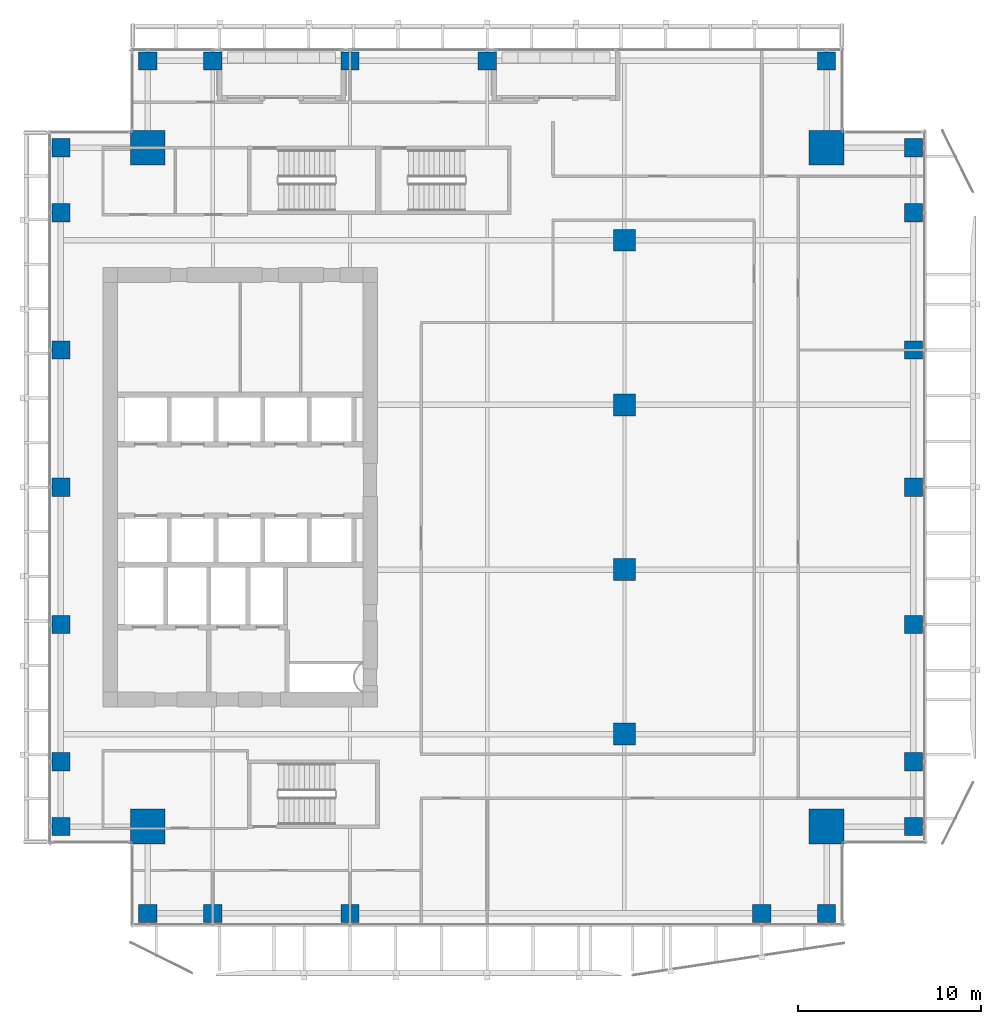
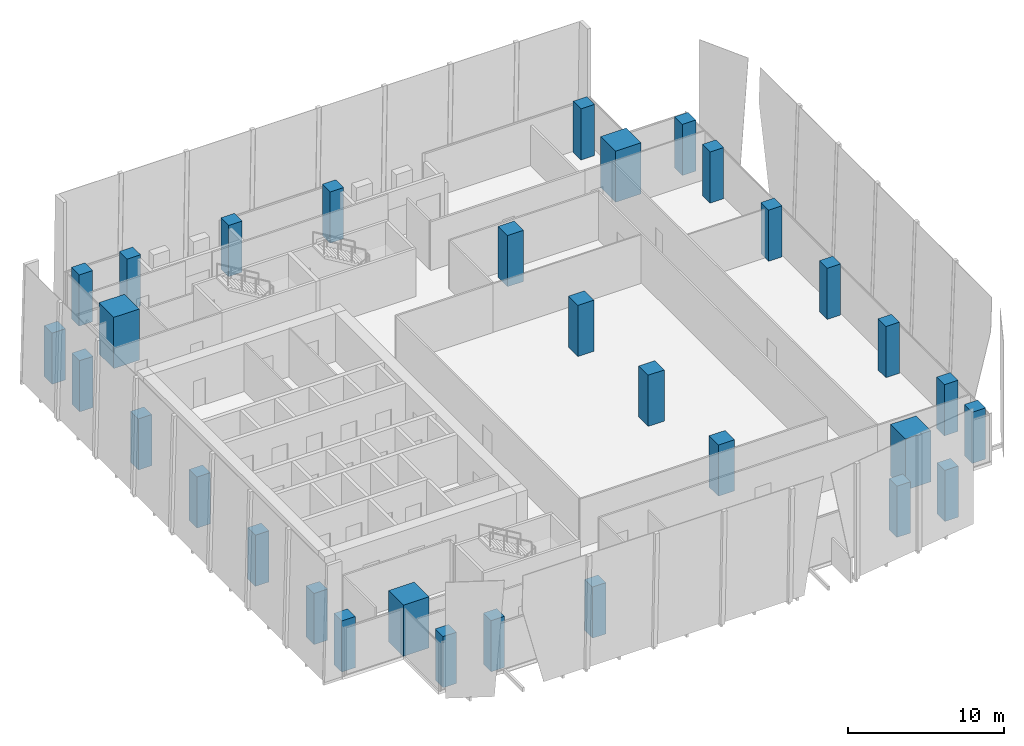
# One storey, part 1 of 35: 32 columns.
"""IFC4 building model written with IfcOpenShell, lengths in metres."""

from ifc_helpers import new_model, si_unit, direction, frame, origin, origin_2d, place, context, subcontext, project, spatial, rectangle, extrude, source, transform, mapped, material, material_profile, profile_set, type_object, element, save


model = new_model("IFC4")

# Units and contexts
model_context = context("Model", 3, precision=1e-05, world=origin(), true_north=direction((0.0, 1.0)))
body_context = subcontext(model_context, "Body", "Model", "MODEL_VIEW")
ifc_project = project(units=[si_unit("LENGTHUNIT", "METRE"), si_unit("AREAUNIT", "SQUARE_METRE"), si_unit("VOLUMEUNIT", "CUBIC_METRE"), si_unit("PLANEANGLEUNIT", "RADIAN"), si_unit("MASSUNIT", "GRAM", prefix="KILO")], contexts=[model_context])

# Site, building, storey
site_placement = place(None, origin())
site = spatial("IfcSite", under=ifc_project, at=site_placement, CompositionType="ELEMENT")
building_placement = place(site_placement, origin())
building = spatial("IfcBuilding", under=site, at=building_placement, Name="Khomas Fold Tower", CompositionType="ELEMENT")
storey_placement = place(building_placement, frame((0.0, 0.0, 212.699951171875)))
storey = spatial("IfcBuildingStorey", under=building, at=storey_placement, Name="L47", CompositionType="ELEMENT", Elevation=212.699951171875)

# Columns
ifc_material_1 = material(Name="Concrete C60/75", Category="concrete")
ifc_material_profile_1 = material_profile(ifc_material_1, rectangle(XDim=1.199951171875, YDim=1.199951171875, at=origin_2d()), Name="RC 1200x1200")
ifc_profile_set_1 = profile_set([ifc_material_profile_1], Name="Concrete C60/75")
column_type_1 = type_object("IfcColumnType", Name="RC 1200x1200 column", PredefinedType="COLUMN", material=ifc_profile_set_1)
shared_shape_1 = source(origin(), body_context, "Body", "SweptSolid", [
    extrude(rectangle(XDim=1.199951171875, YDim=1.199951171875, at=origin_2d()), origin(), (0.0, 0.0, 1.0), 4.0),
])
for number, where, z_axis, x_axis, name in (
    (1, (34.5, 13.5, 0.0), (0.0, 0.0, 1.0), (1.0, 0.0, 0.0), "C-10-H"),
    (2, (34.5, 22.5, 0.0), (0.0, 0.0, 1.0), (1.0, 0.0, 0.0), "C-10-K"),
    (3, (34.5, 31.5, 0.0), (0.0, 0.0, 1.0), (1.0, 0.0, 0.0), "C-10-M"),
    (4, (34.5, 40.5, 0.0), (0.0, 0.0, 1.0), (1.0, 0.0, 0.0), "C-10-P"),
):
    element("IfcColumn", number, at=place(storey_placement, frame(where, z_axis=z_axis, x_axis=x_axis)), inside=storey, type_object=column_type_1, Name=name, PredefinedType="COLUMN", context=body_context, shape_type="MappedRepresentation", body=[
        mapped(shared_shape_1, transform((0.0, 0.0, 0.0))),
    ])
ifc_material_2 = material(Name="Concrete C60/75", Category="concrete")
ifc_material_profile_2 = material_profile(ifc_material_2, rectangle(XDim=1.89990234375, YDim=1.89990234375, at=origin_2d()), Name="RC 1900x1900")
ifc_profile_set_2 = profile_set([ifc_material_profile_2], Name="Concrete C60/75")
column_type_2 = type_object("IfcColumnType", Name="RC 1900x1900 column", PredefinedType="COLUMN", material=ifc_profile_set_2)
shared_shape_2 = source(origin(), body_context, "Body", "SweptSolid", [
    extrude(rectangle(XDim=1.89990234375, YDim=1.89990234375, at=origin_2d()), origin(), (0.0, 0.0, 1.0), 4.0),
])
for number, where, z_axis, x_axis, name in (
    (5, (45.550048828125, 45.550048828125, 0.0), (0.0, 0.0, 1.0), (1.0, 0.0, 0.0), "CM-NE"),
    (6, (8.449951171875, 45.550048828125, 0.0), (0.0, 0.0, 1.0), (1.0, 0.0, 0.0), "CM-NW"),
    (7, (45.550048828125, 8.449951171875, 0.0), (0.0, 0.0, 1.0), (1.0, 0.0, 0.0), "CM-SE"),
    (8, (8.449951171875, 8.449951171875, 0.0), (0.0, 0.0, 1.0), (1.0, 0.0, 0.0), "CM-SW"),
):
    element("IfcColumn", number, at=place(storey_placement, frame(where, z_axis=z_axis, x_axis=x_axis)), inside=storey, type_object=column_type_2, Name=name, PredefinedType="COLUMN", context=body_context, shape_type="MappedRepresentation", body=[
        mapped(shared_shape_2, transform((0.0, 0.0, 0.0))),
    ])
ifc_material_3 = material(Name="Concrete C50/60", Category="concrete")
ifc_material_profile_3 = material_profile(ifc_material_3, rectangle(XDim=1.0, YDim=1.0, at=origin_2d()), Name="RC 1000x1000")
ifc_profile_set_3 = profile_set([ifc_material_profile_3], Name="Concrete C50/60")
column_type_3 = type_object("IfcColumnType", Name="RC 1000x1000 column", PredefinedType="COLUMN", material=ifc_profile_set_3)
shared_shape_3 = source(origin(), body_context, "Body", "SweptSolid", [
    extrude(rectangle(XDim=1.0, YDim=1.0, at=origin_2d()), origin(), (0.0, 0.0, 1.0), 4.0),
])
for number, where, z_axis, x_axis, name in (
    (9, (8.449951171875, 3.699951171875, 0.0), (0.0, 0.0, 1.0), (1.0, 0.0, 0.0), "C-4-SF3"),
    (10, (12.0, 3.699951171875, 0.0), (0.0, 0.0, 1.0), (1.0, 0.0, 0.0), "C-6-SF3"),
    (11, (19.5, 3.699951171875, 0.0), (0.0, 0.0, 1.0), (1.0, 0.0, 0.0), "C-8-SF3"),
    (12, (42.0, 3.699951171875, 0.0), (0.0, 0.0, 1.0), (1.0, 0.0, 0.0), "C-13-SF3"),
    (13, (45.550048828125, 3.699951171875, 0.0), (0.0, 0.0, 1.0), (1.0, 0.0, 0.0), "C-15-SF3"),
    (14, (50.300048828125, 8.449951171875, 0.0), (0.0, 0.0, 1.0), (1.0, 0.0, 0.0), "C-E3-D"),
    (15, (50.300048828125, 12.0, 0.0), (0.0, 0.0, 1.0), (1.0, 0.0, 0.0), "C-E3-F"),
    (16, (50.300048828125, 19.5, 0.0), (0.0, 0.0, 1.0), (1.0, 0.0, 0.0), "C-E3-J"),
    (17, (50.300048828125, 27.0, 0.0), (0.0, 0.0, 1.0), (1.0, 0.0, 0.0), "C-E3-L"),
    (18, (50.300048828125, 34.5, 0.0), (0.0, 0.0, 1.0), (1.0, 0.0, 0.0), "C-E3-N"),
    (19, (50.300048828125, 42.0, 0.0), (0.0, 0.0, 1.0), (1.0, 0.0, 0.0), "C-E3-R"),
    (20, (50.300048828125, 45.550048828125, 0.0), (0.0, 0.0, 1.0), (1.0, 0.0, 0.0), "C-E3-T"),
    (21, (8.449951171875, 50.300048828125, 0.0), (0.0, 0.0, 1.0), (1.0, 0.0, 0.0), "C-4-NF3"),
    (22, (12.0, 50.300048828125, 0.0), (0.0, 0.0, 1.0), (1.0, 0.0, 0.0), "C-6-NF3"),
    (23, (19.5, 50.300048828125, 0.0), (0.0, 0.0, 1.0), (1.0, 0.0, 0.0), "C-8-NF3"),
    (24, (27.0, 50.300048828125, 0.0), (0.0, 0.0, 1.0), (1.0, 0.0, 0.0), "C-9-NF3"),
    (25, (45.550048828125, 50.300048828125, 0.0), (0.0, 0.0, 1.0), (1.0, 0.0, 0.0), "C-15-NF3"),
    (26, (3.699951171875, 8.449951171875, 0.0), (0.0, 0.0, 1.0), (1.0, 0.0, 0.0), "C-W3-D"),
    (27, (3.699951171875, 12.0, 0.0), (0.0, 0.0, 1.0), (1.0, 0.0, 0.0), "C-W3-F"),
    (28, (3.699951171875, 19.5, 0.0), (0.0, 0.0, 1.0), (1.0, 0.0, 0.0), "C-W3-J"),
    (29, (3.699951171875, 27.0, 0.0), (0.0, 0.0, 1.0), (1.0, 0.0, 0.0), "C-W3-L"),
    (30, (3.699951171875, 34.5, 0.0), (0.0, 0.0, 1.0), (1.0, 0.0, 0.0), "C-W3-N"),
    (31, (3.699951171875, 42.0, 0.0), (0.0, 0.0, 1.0), (1.0, 0.0, 0.0), "C-W3-R"),
    (32, (3.699951171875, 45.550048828125, 0.0), (0.0, 0.0, 1.0), (1.0, 0.0, 0.0), "C-W3-T"),
):
    element("IfcColumn", number, at=place(storey_placement, frame(where, z_axis=z_axis, x_axis=x_axis)), inside=storey, type_object=column_type_3, Name=name, PredefinedType="COLUMN", context=body_context, shape_type="MappedRepresentation", body=[
        mapped(shared_shape_3, transform((0.0, 0.0, 0.0))),
    ])

save(model, "model.ifc")
